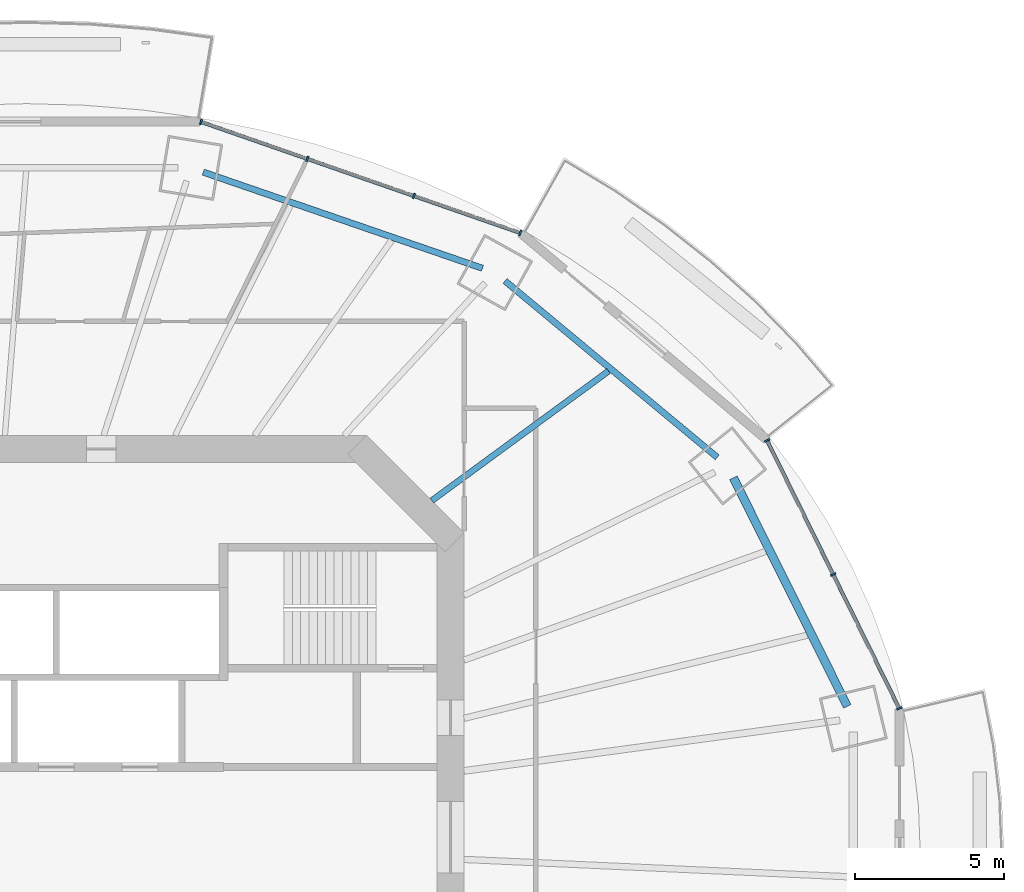
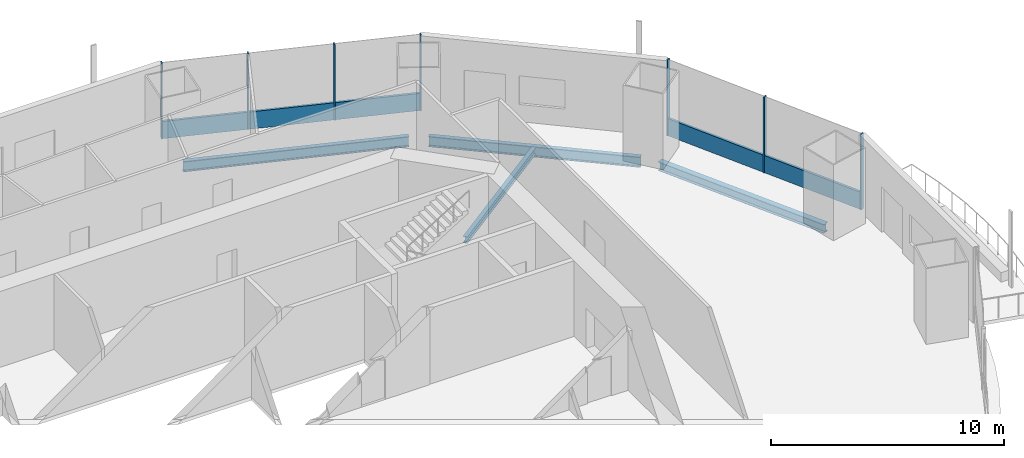
# One storey, part 8 of 19: 9 members, 4 beams, 2 elements without a shape of their own.
"""IFC4 building model written with IfcOpenShell, lengths in metres."""

from ifc_helpers import new_model, si_unit, direction, frame, origin, origin_2d, place, context, subcontext, project, spatial, rectangle, i_section, extrude, material, material_profile, profile_set, type_object, element, aggregate, save


model = new_model("IFC4")

# Units and contexts
model_context = context("Model", 3, precision=1e-05, world=origin(), true_north=direction((0.0, 1.0)))
body_context = subcontext(model_context, "Body", "Model", "MODEL_VIEW")
ifc_project = project(units=[si_unit("LENGTHUNIT", "METRE"), si_unit("AREAUNIT", "SQUARE_METRE"), si_unit("VOLUMEUNIT", "CUBIC_METRE"), si_unit("PLANEANGLEUNIT", "RADIAN"), si_unit("MASSUNIT", "GRAM", prefix="KILO")], contexts=[model_context])

# Site, building, storey
site_placement = place(None, origin())
site = spatial("IfcSite", under=ifc_project, at=site_placement, CompositionType="ELEMENT")
building_placement = place(site_placement, origin())
building = spatial("IfcBuilding", under=site, at=building_placement, Name="Marenthal Gate Tower", CompositionType="ELEMENT")
storey_placement = place(building_placement, frame((0.0, 0.0, 248.199951171875)))
storey = spatial("IfcBuildingStorey", under=building, at=storey_placement, Name="L55", CompositionType="ELEMENT", Elevation=248.199951171875)

# Curtain wall, members
ifc_material_1 = material(Name="Aluminium and glass", Category="aluminium")
curtain_wall_type = type_object("IfcCurtainWallType", Name="Curtain wall typical mid", PredefinedType="NOTDEFINED", material=ifc_material_1)
curtain_wall_1_placement = place(storey_placement, origin())
curtain_wall_1 = element("IfcCurtainWall", 1, at=curtain_wall_1_placement, inside=storey, type_object=curtain_wall_type, Name="Curtain wall L55 bay 1", PredefinedType="NOTDEFINED")
ifc_material_2 = material(Name="Aluminium", Category="aluminium")
ifc_material_profile_1 = material_profile(ifc_material_2, rectangle(XDim=0.179931640625, YDim=0.06005859375, at=origin_2d()), Name="60x180 aluminium mullion")
ifc_profile_set_1 = profile_set([ifc_material_profile_1], Name="Aluminium")
member_type_1 = type_object("IfcMemberType", Name="Mullion 60x180 typical mid", PredefinedType="MULLION", material=ifc_profile_set_1)
member_1_placement = place(storey_placement, frame((31.01708984375, 4.310791015625, 0.0), z_axis=(0.0, 0.0, 1.0), x_axis=(-0.896882319585, -0.44226926732, 0.0)))
member_1 = element("IfcMember", 2, at=member_1_placement, type_object=member_type_1, Name="Mullion L55 bay 1.1", PredefinedType="MULLION", context=body_context, shape_type="SweptSolid", body=[
    extrude(rectangle(XDim=0.179931640625, YDim=0.06005859375, at=origin_2d()), origin(), (0.0, 0.0, 1.0), 3.969970703125),
])
member_2_placement = place(storey_placement, frame((28.80517578125, 8.796142578125, 0.0), z_axis=(0.0, 0.0, 1.0), x_axis=(-0.896882319585, -0.44226926732, 0.0)))
member_2 = element("IfcMember", 3, at=member_2_placement, type_object=member_type_1, Name="Mullion L55 bay 1.2", PredefinedType="MULLION", context=body_context, shape_type="SweptSolid", body=[
    extrude(rectangle(XDim=0.179931640625, YDim=0.06005859375, at=origin_2d()), origin(), (0.0, 0.0, 1.0), 3.969970703125),
])
member_3_placement = place(storey_placement, frame((26.593505859375, 13.28125, 0.0), z_axis=(0.0, 0.0, 1.0), x_axis=(-0.896882319585, -0.44226926732, 0.0)))
member_3 = element("IfcMember", 4, at=member_3_placement, type_object=member_type_1, Name="Mullion L55 bay 1.3", PredefinedType="MULLION", context=body_context, shape_type="SweptSolid", body=[
    extrude(rectangle(XDim=0.179931640625, YDim=0.06005859375, at=origin_2d()), origin(), (0.0, 0.0, 1.0), 3.969970703125),
])

curtain_wall_2_placement = place(storey_placement, origin())
curtain_wall_2 = element("IfcCurtainWall", 5, at=curtain_wall_2_placement, inside=storey, type_object=curtain_wall_type, Name="Curtain wall L55 bay 3", PredefinedType="NOTDEFINED")
member_4_placement = place(storey_placement, frame((18.329345703125, 20.224853515625, 0.0), z_axis=(0.0, 0.0, 1.0), x_axis=(-0.328612003593, -0.944465007872, 0.0)))
member_4 = element("IfcMember", 6, at=member_4_placement, type_object=member_type_1, Name="Mullion L55 bay 3.1", PredefinedType="MULLION", context=body_context, shape_type="SweptSolid", body=[
    extrude(rectangle(XDim=0.179931640625, YDim=0.06005859375, at=origin_2d()), origin(), (0.0, 0.0, 1.0), 3.969970703125),
])
member_5_placement = place(storey_placement, frame((14.76708984375, 21.46435546875, 0.0), z_axis=(0.0, 0.0, 1.0), x_axis=(-0.328612003593, -0.944465007872, 0.0)))
member_5 = element("IfcMember", 7, at=member_5_placement, type_object=member_type_1, Name="Mullion L55 bay 3.2", PredefinedType="MULLION", context=body_context, shape_type="SweptSolid", body=[
    extrude(rectangle(XDim=0.179931640625, YDim=0.06005859375, at=origin_2d()), origin(), (0.0, 0.0, 1.0), 3.969970703125),
])
member_6_placement = place(storey_placement, frame((11.204833984375, 22.70361328125, 0.0), z_axis=(0.0, 0.0, 1.0), x_axis=(-0.328612003593, -0.944465007872, 0.0)))
member_6 = element("IfcMember", 8, at=member_6_placement, type_object=member_type_1, Name="Mullion L55 bay 3.3", PredefinedType="MULLION", context=body_context, shape_type="SweptSolid", body=[
    extrude(rectangle(XDim=0.179931640625, YDim=0.06005859375, at=origin_2d()), origin(), (0.0, 0.0, 1.0), 3.969970703125),
])
member_7_placement = place(storey_placement, frame((7.642578125, 23.943115234375, 0.0), z_axis=(0.0, 0.0, 1.0), x_axis=(-0.328612003593, -0.944465007872, 0.0)))
member_7 = element("IfcMember", 9, at=member_7_placement, type_object=member_type_1, Name="Mullion L55 bay 3.4", PredefinedType="MULLION", context=body_context, shape_type="SweptSolid", body=[
    extrude(rectangle(XDim=0.179931640625, YDim=0.06005859375, at=origin_2d()), origin(), (0.0, 0.0, 1.0), 3.969970703125),
])

# Member
ifc_material_3 = material(Name="Aluminium", Category="aluminium")
ifc_material_profile_2 = material_profile(ifc_material_3, rectangle(XDim=0.1201171875, YDim=0.89990234375, at=origin_2d()), Name="120x900 aluminium transom")
ifc_profile_set_2 = profile_set([ifc_material_profile_2], Name="Aluminium")
member_type_2 = type_object("IfcMemberType", Name="Transom 120x900 typical mid", PredefinedType="USERDEFINED", material=ifc_profile_set_2)
member_8_placement = place(storey_placement, frame((31.003662109375, 4.337646484375, 0.449951171875), z_axis=(-0.442255953319, 0.896888884842, 0.0), x_axis=(-0.896888884842, -0.442255953319, 0.0)))
member_8 = element("IfcMember", 10, at=member_8_placement, type_object=member_type_2, Name="Transom L55 bay 1", ObjectType="TRANSOM", PredefinedType="USERDEFINED", context=body_context, shape_type="SweptSolid", body=[
    extrude(rectangle(XDim=0.1201171875, YDim=0.89990234375, at=origin_2d()), origin(), (0.0, 0.0, 1.0), 9.941650390625),
])

aggregate(curtain_wall_1, [member_1, member_2, member_3, member_8])

member_9_placement = place(storey_placement, frame((18.301025390625, 20.234619140625, 0.449951171875), z_axis=(-0.944461090095, 0.328623263474, 0.0), x_axis=(-0.328623263474, -0.944461090095, 0.0)))
member_9 = element("IfcMember", 11, at=member_9_placement, type_object=member_type_2, Name="Transom L55 bay 3", ObjectType="TRANSOM", PredefinedType="USERDEFINED", context=body_context, shape_type="SweptSolid", body=[
    extrude(rectangle(XDim=0.1201171875, YDim=0.89990234375, at=origin_2d()), origin(), (0.0, 0.0, 1.0), 11.255126953125),
])

aggregate(curtain_wall_2, [member_4, member_5, member_6, member_7, member_9])

# Beams
ifc_material_4 = material(Name="Steel S355", Category="steel")
ifc_material_profile_3 = material_profile(ifc_material_4, i_section(OverallWidth=0.205078125, OverallDepth=0.35302734375, WebThickness=0.009521484375, FlangeThickness=0.016845703125, FilletRadius=0.014892578125, at=origin_2d()), Name="W360X79")
ifc_profile_set_3 = profile_set([ifc_material_profile_3], Name="Steel S355")
beam_type_1 = type_object("IfcBeamType", Name="W360X79 beam", PredefinedType="BEAM", material=ifc_profile_set_3)
beam_1_placement = place(storey_placement, frame((21.28515625, 15.601318359375, -0.3564453125), z_axis=(-0.806555263044, -0.591158699214, 0.0), x_axis=(0.591158699214, -0.806555263044, 0.0)))
element("IfcBeam", 12, at=beam_1_placement, inside=storey, type_object=beam_type_1, Name="BM-L55-19", PredefinedType="BEAM", context=body_context, shape_type="SweptSolid", body=[
    extrude(i_section(OverallWidth=0.205078125, OverallDepth=0.35302734375, WebThickness=0.009521484375, FlangeThickness=0.016845703125, FilletRadius=0.014892578125, at=origin_2d()), origin(), (0.0, 0.0, 1.0), 7.33349609375),
])
ifc_material_5 = material(Name="Steel S355", Category="steel")
ifc_material_profile_4 = material_profile(ifc_material_5, i_section(OverallWidth=0.279052734375, OverallDepth=0.4619140625, WebThickness=0.0107421875, FlangeThickness=0.017333984375, FilletRadius=0.010009765625, at=origin_2d()), Name="W460X113")
ifc_profile_set_4 = profile_set([ifc_material_profile_4], Name="Steel S355")
beam_type_2 = type_object("IfcBeamType", Name="W460X113 beam", PredefinedType="BEAM", material=ifc_profile_set_4)
beam_2_placement = place(storey_placement, frame((29.2802734375, 4.3779296875, -0.410888671875), z_axis=(-0.446105412594, 0.894980424844, 0.0), x_axis=(-0.894980424844, -0.446105412594, 0.0)))
element("IfcBeam", 13, at=beam_2_placement, inside=storey, type_object=beam_type_2, Name="BM-L55-41", PredefinedType="BEAM", context=body_context, shape_type="SweptSolid", body=[
    extrude(i_section(OverallWidth=0.279052734375, OverallDepth=0.4619140625, WebThickness=0.0107421875, FlangeThickness=0.017333984375, FilletRadius=0.010009765625, at=origin_2d()), origin(), (0.0, 0.0, 1.0), 8.550537109375),
])
ifc_material_6 = material(Name="Steel S355", Category="steel")
ifc_material_profile_5 = material_profile(ifc_material_6, i_section(OverallWidth=0.2119140625, OverallDepth=0.5439453125, WebThickness=0.01318359375, FlangeThickness=0.021240234375, FilletRadius=0.0126953125, at=origin_2d()), Name="W530X123")
ifc_profile_set_5 = profile_set([ifc_material_profile_5], Name="Steel S355")
beam_type_3 = type_object("IfcBeamType", Name="W530X123 beam", PredefinedType="BEAM", material=ifc_profile_set_5)
beam_3_placement = place(storey_placement, frame((24.92529296875, 12.714111328125, -0.451904296875), z_axis=(-0.769104243953, 0.639123354239, 0.0), x_axis=(-0.639123354239, -0.769104243953, 0.0)))
element("IfcBeam", 14, at=beam_3_placement, inside=storey, type_object=beam_type_3, Name="BM-L55-42", PredefinedType="BEAM", context=body_context, shape_type="SweptSolid", body=[
    extrude(i_section(OverallWidth=0.2119140625, OverallDepth=0.5439453125, WebThickness=0.01318359375, FlangeThickness=0.021240234375, FilletRadius=0.0126953125, at=origin_2d()), origin(), (0.0, 0.0, 1.0), 9.2392578125),
])
beam_4_placement = place(storey_placement, frame((17.064453125, 19.044189453125, -0.451904296875), z_axis=(-0.945547432883, 0.32548433475, 0.0), x_axis=(-0.32548433475, -0.945547432883, 0.0)))
element("IfcBeam", 15, at=beam_4_placement, inside=storey, type_object=beam_type_3, Name="BM-L55-43", PredefinedType="BEAM", context=body_context, shape_type="SweptSolid", body=[
    extrude(i_section(OverallWidth=0.2119140625, OverallDepth=0.5439453125, WebThickness=0.01318359375, FlangeThickness=0.021240234375, FilletRadius=0.0126953125, at=origin_2d()), origin(), (0.0, 0.0, 1.0), 9.88232421875),
])

save(model, "model.ifc")
